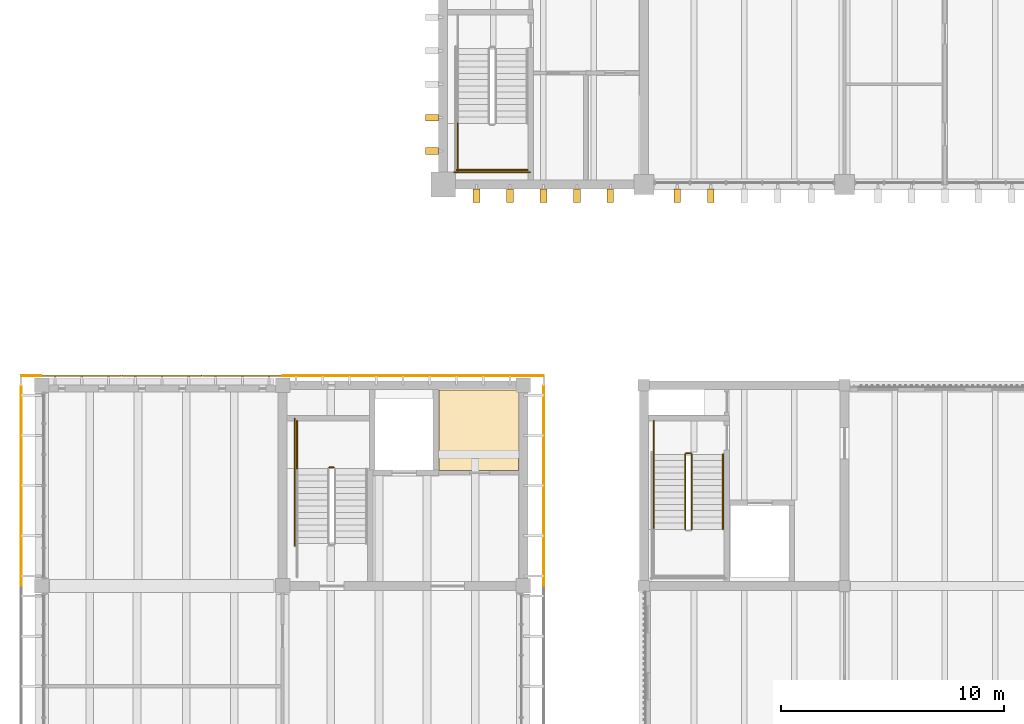
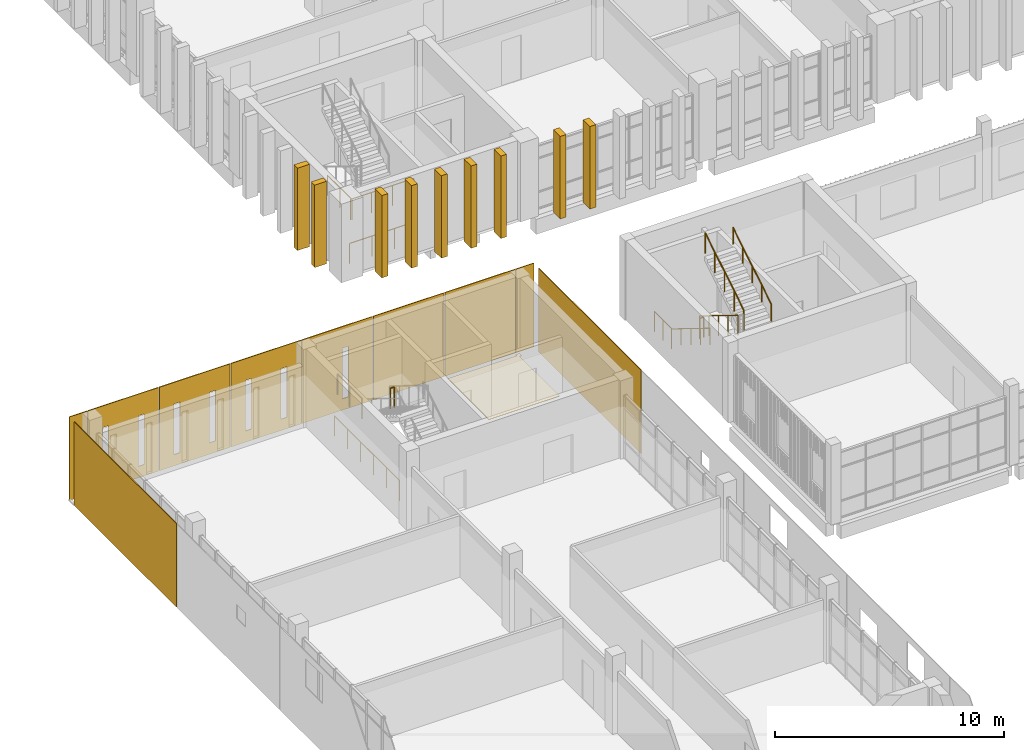
# One storey, part 86 of 92: 12 railings, 11 coverings, 9 shading devices.
"""IFC4 building model written with IfcOpenShell, lengths in metres."""

from ifc_helpers import new_model, si_unit, direction, frame, origin, origin_2d, place, context, subcontext, project, spatial, polyline, circle, outline, extrude, source, transform, mapped, material, layer, layer_set, type_object, element, save


model = new_model("IFC4")

# Units and contexts
model_context = context("Model", 3, precision=1e-05, world=origin(), true_north=direction((0.0, 1.0)))
body_context = subcontext(model_context, "Body", "Model", "MODEL_VIEW")
ifc_project = project(units=[si_unit("LENGTHUNIT", "METRE"), si_unit("AREAUNIT", "SQUARE_METRE"), si_unit("VOLUMEUNIT", "CUBIC_METRE"), si_unit("PLANEANGLEUNIT", "RADIAN"), si_unit("MASSUNIT", "GRAM", prefix="KILO")], contexts=[model_context])

# Site, building, storey
site_placement = place(None, origin())
site = spatial("IfcSite", under=ifc_project, at=site_placement, CompositionType="ELEMENT")
building_placement = place(site_placement, origin())
building = spatial("IfcBuilding", under=site, at=building_placement, Name="Merrow Basin Faculty of Sciences", CompositionType="ELEMENT")
storey_placement = place(building_placement, frame((0.0, 0.0, 4.5)))
storey = spatial("IfcBuildingStorey", under=building, at=storey_placement, Name="L01", CompositionType="ELEMENT", Elevation=4.5)

# Covering
ifc_material_1 = material(Name="Carpet tile floor")
ifc_layer_1 = layer(ifc_material_1, 0.02001953125)
ifc_layer_set_1 = layer_set([ifc_layer_1], Name="Carpet tile floor")
covering_type_1 = type_object("IfcCoveringType", Name="Carpet tile floor", PredefinedType="FLOORING", material=ifc_layer_set_1)
covering_1_placement = place(storey_placement, origin())
element("IfcCovering", 1, at=covering_1_placement, inside=storey, type_object=covering_type_1, Name="Floor finish L01-B-013", PredefinedType="FLOORING", context=body_context, shape_type="SweptSolid", body=[
    extrude(outline(polyline([(21.389892578125, 129.18505859375), (17.81005859375, 129.18505859375), (17.81005859375, 132.7900390625), (21.284912109375, 132.7900390625), (21.284912109375, 132.889892578125), (21.489990234375, 132.889892578125), (21.489990234375, 132.68505859375), (21.389892578125, 132.68505859375), (21.389892578125, 129.18505859375)])), origin(), (0.0, 0.0, 1.0), 0.02001953125),
])

# Railings
ifc_material_2 = material(Name="Steel ASTM A36", Category="steel")
railing_type_1 = type_object("IfcRailingType", Name="Steel guard 1100", PredefinedType="GUARDRAIL", material=ifc_material_2)
railing_1_placement = place(storey_placement, frame((13.10009765625, 129.31005859375, 2.25)))
element("IfcRailing", 2, at=railing_1_placement, inside=storey, type_object=railing_type_1, Name="L01 ST-V4-N stair guard 2", PredefinedType="GUARDRAIL", context=body_context, shape_type="SweptSolid", body=[
    extrude(circle(Radius=0.02392578125, at=origin_2d()), frame((0.0, 0.0, 1.076171875), z_axis=(-1.0, 0.0, 0.0), x_axis=(0.0, -1.0, 0.0)), (0.0, 0.0, 1.0), 0.2001953125),
    extrude(circle(Radius=0.02099609375, at=origin_2d()), origin(), (0.0, 0.0, 1.0), 1.052001953125),
    extrude(circle(Radius=0.02099609375, at=origin_2d()), frame((-0.2001953125, 0.0, 0.0)), (0.0, 0.0, 1.0), 1.052001953125),
])
railing_2_placement = place(storey_placement, frame((11.449951171875, 129.260009765625, 2.25)))
element("IfcRailing", 3, at=railing_2_placement, inside=storey, type_object=railing_type_1, Name="L01 ST-V4-N stair guard 3", PredefinedType="GUARDRAIL", context=body_context, shape_type="SweptSolid", body=[
    extrude(circle(Radius=0.02392578125, at=origin_2d()), frame((0.0, 0.0, 1.076171875), z_axis=(0.0, 1.0, 0.0), x_axis=(-1.0, 0.0, 0.0)), (0.0, 0.0, 1.0), 2.139892578125),
    extrude(circle(Radius=0.02099609375, at=origin_2d()), origin(), (0.0, 0.0, 1.0), 1.052001953125),
    extrude(circle(Radius=0.02099609375, at=origin_2d()), frame((0.0, 1.06982421875, 0.0)), (0.0, 0.0, 1.0), 1.052001953125),
    extrude(circle(Radius=0.02099609375, at=origin_2d()), frame((0.0, 2.139892578125, 0.0)), (0.0, 0.0, 1.0), 1.052001953125),
])
railing_3_placement = place(storey_placement, frame((11.35009765625, 125.800048828125, 0.0)))
element("IfcRailing", 4, at=railing_3_placement, inside=storey, type_object=railing_type_1, Name="L01 ST-V4-N stair guard 7", PredefinedType="GUARDRAIL", context=body_context, shape_type="SweptSolid", body=[
    extrude(circle(Radius=0.02392578125, at=origin_2d()), frame((0.0, 0.0, 1.076171875), z_axis=(0.0, 1.0, 0.0), x_axis=(-1.0, 0.0, 0.0)), (0.0, 0.0, 1.0), 5.699951171875),
    extrude(circle(Radius=0.02099609375, at=origin_2d()), origin(), (0.0, 0.0, 1.0), 1.052001953125),
    extrude(circle(Radius=0.02099609375, at=origin_2d()), frame((0.0, 1.139892578125, 0.0)), (0.0, 0.0, 1.0), 1.052001953125),
    extrude(circle(Radius=0.02099609375, at=origin_2d()), frame((0.0, 2.280029296875, 0.0)), (0.0, 0.0, 1.0), 1.052001953125),
    extrude(circle(Radius=0.02099609375, at=origin_2d()), frame((0.0, 3.419921875, 0.0)), (0.0, 0.0, 1.0), 1.052001953125),
    extrude(circle(Radius=0.02099609375, at=origin_2d()), frame((0.0, 4.56005859375, 0.0)), (0.0, 0.0, 1.0), 1.052001953125),
    extrude(circle(Radius=0.02099609375, at=origin_2d()), frame((0.0, 5.699951171875, 0.0)), (0.0, 0.0, 1.0), 1.052001953125),
])
railing_4_placement = place(storey_placement, frame((28.85009765625, 129.89990234375, 0.173095703125)))
element("IfcRailing", 5, at=railing_4_placement, inside=storey, type_object=railing_type_1, Name="L01 ST-V2-W stair guard 1", PredefinedType="GUARDRAIL", context=body_context, shape_type="SweptSolid", body=[
    extrude(circle(Radius=0.02392578125, at=origin_2d()), frame((0.0, 0.0, 1.076171875), z_axis=(0.0, -0.850606129759, 0.525803396734), x_axis=(1.0, 0.0, 0.0)), (0.0, 0.0, 1.0), 3.949951171875),
    extrude(circle(Radius=0.02099609375, at=origin_2d()), origin(), (0.0, 0.0, 1.0), 1.052001953125),
    extrude(circle(Radius=0.02099609375, at=origin_2d()), frame((0.0, -0.83984375, 0.519287109375)), (0.0, 0.0, 1.0), 1.052001953125),
    extrude(circle(Radius=0.02099609375, at=origin_2d()), frame((0.0, -1.679931640625, 1.03857421875)), (0.0, 0.0, 1.0), 1.052001953125),
    extrude(circle(Radius=0.02099609375, at=origin_2d()), frame((0.0, -2.52001953125, 1.5576171875)), (0.0, 0.0, 1.0), 1.052001953125),
    extrude(circle(Radius=0.02099609375, at=origin_2d()), frame((0.0, -3.35986328125, 2.076904296875)), (0.0, 0.0, 1.0), 1.052001953125),
])
railing_5_placement = place(storey_placement, frame((29.14990234375, 126.5400390625, 2.423095703125)))
element("IfcRailing", 6, at=railing_5_placement, inside=storey, type_object=railing_type_1, Name="L01 ST-V2-W stair guard 5", PredefinedType="GUARDRAIL", context=body_context, shape_type="SweptSolid", body=[
    extrude(circle(Radius=0.02392578125, at=origin_2d()), frame((0.0, 0.0, 1.076171875), z_axis=(0.0, 0.850606129759, 0.525803396734), x_axis=(-1.0, 0.0, 0.0)), (0.0, 0.0, 1.0), 3.949951171875),
    extrude(circle(Radius=0.02099609375, at=origin_2d()), origin(), (0.0, 0.0, 1.0), 1.052001953125),
    extrude(circle(Radius=0.02099609375, at=origin_2d()), frame((0.0, 0.83984375, 0.519287109375)), (0.0, 0.0, 1.0), 1.052001953125),
    extrude(circle(Radius=0.02099609375, at=origin_2d()), frame((0.0, 1.679931640625, 1.03857421875)), (0.0, 0.0, 1.0), 1.052001953125),
    extrude(circle(Radius=0.02099609375, at=origin_2d()), frame((0.0, 2.52001953125, 1.5576171875)), (0.0, 0.0, 1.0), 1.052001953125),
    extrude(circle(Radius=0.02099609375, at=origin_2d()), frame((0.0, 3.35986328125, 2.076904296875)), (0.0, 0.0, 1.0), 1.052001953125),
])
railing_6_placement = place(storey_placement, frame((28.89990234375, 129.949951171875, 0.0)))
element("IfcRailing", 7, at=railing_6_placement, inside=storey, type_object=railing_type_1, Name="L01 ST-V2-W stair guard 6", PredefinedType="GUARDRAIL", context=body_context, shape_type="SweptSolid", body=[
    extrude(circle(Radius=0.02392578125, at=origin_2d()), frame((0.0, 0.0, 1.076171875), z_axis=(1.0, 0.0, 0.0), x_axis=(0.0, 1.0, 0.0)), (0.0, 0.0, 1.0), 0.2001953125),
    extrude(circle(Radius=0.02099609375, at=origin_2d()), origin(), (0.0, 0.0, 1.0), 1.052001953125),
    extrude(circle(Radius=0.02099609375, at=origin_2d()), frame((0.2001953125, 0.0, 0.0)), (0.0, 0.0, 1.0), 1.052001953125),
])
railing_7_placement = place(storey_placement, frame((27.449951171875, 131.39990234375, 0.0)))
element("IfcRailing", 8, at=railing_7_placement, inside=storey, type_object=railing_type_1, Name="L01 ST-V2-W stair guard 7", PredefinedType="GUARDRAIL", context=body_context, shape_type="SweptSolid", body=[
    extrude(circle(Radius=0.02392578125, at=origin_2d()), frame((0.0, 0.0, 1.076171875), z_axis=(0.0, -1.0, 0.0), x_axis=(1.0, 0.0, 0.0)), (0.0, 0.0, 1.0), 1.5),
    extrude(circle(Radius=0.02099609375, at=origin_2d()), origin(), (0.0, 0.0, 1.0), 1.052001953125),
    extrude(circle(Radius=0.02099609375, at=origin_2d()), frame((0.0, -0.75, 0.0)), (0.0, 0.0, 1.0), 1.052001953125),
    extrude(circle(Radius=0.02099609375, at=origin_2d()), frame((0.0, -1.5, 0.0)), (0.0, 0.0, 1.0), 1.052001953125),
])
railing_8_placement = place(storey_placement, frame((18.64990234375, 144.739990234375, 2.25)))
element("IfcRailing", 9, at=railing_8_placement, inside=storey, type_object=railing_type_1, Name="L01 ST-V5-W stair guard 3", PredefinedType="GUARDRAIL", context=body_context, shape_type="SweptSolid", body=[
    extrude(circle(Radius=0.02392578125, at=origin_2d()), frame((0.0, 0.0, 1.076171875), z_axis=(0.0, -1.0, 0.0), x_axis=(1.0, 0.0, 0.0)), (0.0, 0.0, 1.0), 2.139892578125),
    extrude(circle(Radius=0.02099609375, at=origin_2d()), origin(), (0.0, 0.0, 1.0), 1.052001953125),
    extrude(circle(Radius=0.02099609375, at=origin_2d()), frame((0.0, -1.06982421875, 0.0)), (0.0, 0.0, 1.0), 1.052001953125),
    extrude(circle(Radius=0.02099609375, at=origin_2d()), frame((0.0, -2.139892578125, 0.0)), (0.0, 0.0, 1.0), 1.052001953125),
])
railing_9_placement = place(storey_placement, frame((18.60009765625, 142.64990234375, 2.25)))
element("IfcRailing", 10, at=railing_9_placement, inside=storey, type_object=railing_type_1, Name="L01 ST-V5-W stair guard 4", PredefinedType="GUARDRAIL", context=body_context, shape_type="SweptSolid", body=[
    extrude(circle(Radius=0.02392578125, at=origin_2d()), frame((0.0, 0.0, 1.076171875), z_axis=(1.0, 0.0, 0.0), x_axis=(0.0, 1.0, 0.0)), (0.0, 0.0, 1.0), 3.199951171875),
    extrude(circle(Radius=0.02099609375, at=origin_2d()), origin(), (0.0, 0.0, 1.0), 1.052001953125),
    extrude(circle(Radius=0.02099609375, at=origin_2d()), frame((1.066650390625, 0.0, 0.0)), (0.0, 0.0, 1.0), 1.052001953125),
    extrude(circle(Radius=0.02099609375, at=origin_2d()), frame((2.13330078125, 0.0, 0.0)), (0.0, 0.0, 1.0), 1.052001953125),
    extrude(circle(Radius=0.02099609375, at=origin_2d()), frame((3.199951171875, 0.0, 0.0)), (0.0, 0.0, 1.0), 1.052001953125),
])
railing_10_placement = place(storey_placement, frame((18.5, 142.550048828125, 0.0)))
element("IfcRailing", 11, at=railing_10_placement, inside=storey, type_object=railing_type_1, Name="L01 ST-V5-W stair guard 9", PredefinedType="GUARDRAIL", context=body_context, shape_type="SweptSolid", body=[
    extrude(circle(Radius=0.02392578125, at=origin_2d()), frame((0.0, 0.0, 1.076171875), z_axis=(1.0, 0.0, 0.0), x_axis=(0.0, 1.0, 0.0)), (0.0, 0.0, 1.0), 3.39990234375),
    extrude(circle(Radius=0.02099609375, at=origin_2d()), origin(), (0.0, 0.0, 1.0), 1.052001953125),
    extrude(circle(Radius=0.02099609375, at=origin_2d()), frame((1.13330078125, 0.0, 0.0)), (0.0, 0.0, 1.0), 1.052001953125),
    extrude(circle(Radius=0.02099609375, at=origin_2d()), frame((2.2666015625, 0.0, 0.0)), (0.0, 0.0, 1.0), 1.052001953125),
    extrude(circle(Radius=0.02099609375, at=origin_2d()), frame((3.39990234375, 0.0, 0.0)), (0.0, 0.0, 1.0), 1.052001953125),
])
ifc_material_3 = material(Name="Steel ASTM A36", Category="steel")
railing_type_2 = type_object("IfcRailingType", Name="Steel handrail 900", PredefinedType="HANDRAIL", material=ifc_material_3)
railing_11_placement = place(storey_placement, frame((27.449951171875, 129.89990234375, 0.173095703125)))
element("IfcRailing", 12, at=railing_11_placement, inside=storey, type_object=railing_type_2, Name="L01 ST-V2-W stair handrail 1", PredefinedType="HANDRAIL", context=body_context, shape_type="SweptSolid", body=[
    extrude(circle(Radius=0.02392578125, at=origin_2d()), frame((0.0, 0.0, 0.8759765625), z_axis=(0.0, -0.850606129759, 0.525803396734), x_axis=(1.0, 0.0, 0.0)), (0.0, 0.0, 1.0), 3.949951171875),
    extrude(circle(Radius=0.02099609375, at=origin_2d()), origin(), (0.0, 0.0, 1.0), 0.851806640625),
    extrude(circle(Radius=0.02099609375, at=origin_2d()), frame((0.0, -0.83984375, 0.519287109375)), (0.0, 0.0, 1.0), 0.851806640625),
    extrude(circle(Radius=0.02099609375, at=origin_2d()), frame((0.0, -1.679931640625, 1.03857421875)), (0.0, 0.0, 1.0), 0.851806640625),
    extrude(circle(Radius=0.02099609375, at=origin_2d()), frame((0.0, -2.52001953125, 1.5576171875)), (0.0, 0.0, 1.0), 0.851806640625),
    extrude(circle(Radius=0.02099609375, at=origin_2d()), frame((0.0, -3.35986328125, 2.076904296875)), (0.0, 0.0, 1.0), 0.851806640625),
])
railing_12_placement = place(storey_placement, frame((30.550048828125, 126.5400390625, 2.423095703125)))
element("IfcRailing", 13, at=railing_12_placement, inside=storey, type_object=railing_type_2, Name="L01 ST-V2-W stair handrail 2", PredefinedType="HANDRAIL", context=body_context, shape_type="SweptSolid", body=[
    extrude(circle(Radius=0.02392578125, at=origin_2d()), frame((0.0, 0.0, 0.8759765625), z_axis=(0.0, 0.850606129759, 0.525803396734), x_axis=(-1.0, 0.0, 0.0)), (0.0, 0.0, 1.0), 3.949951171875),
    extrude(circle(Radius=0.02099609375, at=origin_2d()), origin(), (0.0, 0.0, 1.0), 0.851806640625),
    extrude(circle(Radius=0.02099609375, at=origin_2d()), frame((0.0, 0.83984375, 0.519287109375)), (0.0, 0.0, 1.0), 0.851806640625),
    extrude(circle(Radius=0.02099609375, at=origin_2d()), frame((0.0, 1.679931640625, 1.03857421875)), (0.0, 0.0, 1.0), 0.851806640625),
    extrude(circle(Radius=0.02099609375, at=origin_2d()), frame((0.0, 2.52001953125, 1.5576171875)), (0.0, 0.0, 1.0), 0.851806640625),
    extrude(circle(Radius=0.02099609375, at=origin_2d()), frame((0.0, 3.35986328125, 2.076904296875)), (0.0, 0.0, 1.0), 0.851806640625),
])

# Coverings
ifc_material_4 = material(Name="White powder-coated aluminium", Category="aluminium")
ifc_layer_2 = layer(ifc_material_4, 0.0400390625)
ifc_layer_set_2 = layer_set([ifc_layer_2], Name="Perforated panel 9000 x 4500")
covering_type_2 = type_object("IfcCoveringType", Name="Perforated panel 9000 x 4500", PredefinedType="CLADDING", material=ifc_layer_set_2)
shared_shape_1 = source(origin(), body_context, "Body", "SweptSolid", [
    extrude(outline(polyline([(0.02001953125, 0.02001953125), (8.97998046875, 0.02001953125), (8.97998046875, 4.47998046875), (0.02001953125, 4.47998046875), (0.02001953125, 0.02001953125)])), origin(), (0.0, 0.0, 1.0), 0.0400390625),
])
covering_2_placement = place(storey_placement, frame((-0.93994140625, 124.0, -0.320068359375), z_axis=(1.0, 0.0, 0.0), x_axis=(0.0, 1.0, 0.0)))
element("IfcCovering", 14, at=covering_2_placement, inside=storey, type_object=covering_type_2, Name="Perforated panel WL01-08", PredefinedType="CLADDING", context=body_context, shape_type="MappedRepresentation", body=[
    mapped(shared_shape_1, transform((0.0, 0.0, 0.0), scale=1.0)),
])
shared_shape_2 = source(origin(), body_context, "Body", "SweptSolid", [
    extrude(outline(polyline([(0.02001953125, 0.02001953125), (8.97998046875, 0.02001953125), (8.97998046875, 4.47998046875), (0.02001953125, 4.47998046875), (0.02001953125, 0.02001953125)])), origin(), (0.0, 0.0, 1.0), 0.0400390625),
])
covering_3_placement = place(storey_placement, frame((22.5400390625, 133.0, -0.320068359375), z_axis=(-1.0, 0.0, 0.0), x_axis=(0.0, -1.0, 0.0)))
element("IfcCovering", 15, at=covering_3_placement, inside=storey, type_object=covering_type_2, Name="Perforated panel EL01-08", PredefinedType="CLADDING", context=body_context, shape_type="MappedRepresentation", body=[
    mapped(shared_shape_2, transform((0.0, 0.0, 0.0), scale=1.0)),
])
ifc_material_5 = material(Name="White powder-coated aluminium", Category="aluminium")
ifc_layer_3 = layer(ifc_material_5, 0.0400390625)
ifc_layer_set_3 = layer_set([ifc_layer_3], Name="End corner panel 940 x 4500")
covering_type_3 = type_object("IfcCoveringType", Name="End corner panel 940 x 4500", PredefinedType="CLADDING", material=ifc_layer_set_3)
shared_shape_3 = source(origin(), body_context, "Body", "SweptSolid", [
    extrude(outline(polyline([(0.02001953125, 0.02001953125), (0.919921875, 0.02001953125), (0.919921875, 4.47998046875), (0.02001953125, 4.47998046875), (0.02001953125, 0.02001953125)])), origin(), (0.0, 0.0, 1.0), 0.0400390625),
])
covering_4_placement = place(storey_placement, frame((-0.93994140625, 133.43994140625, -0.320068359375), z_axis=(0.0, -1.0, 0.0), x_axis=(1.0, 0.0, 0.0)))
element("IfcCovering", 16, at=covering_4_placement, inside=storey, type_object=covering_type_3, Name="End panel NL01-01", PredefinedType="CLADDING", context=body_context, shape_type="MappedRepresentation", body=[
    mapped(shared_shape_3, transform((0.0, 0.0, 0.0), scale=1.0)),
])
ifc_material_6 = material(Name="White powder-coated aluminium", Category="aluminium")
ifc_layer_4 = layer(ifc_material_6, 0.0400390625)
ifc_layer_set_4 = layer_set([ifc_layer_4], Name="End panel 3600 x 4500")
covering_type_4 = type_object("IfcCoveringType", Name="End panel 3600 x 4500", PredefinedType="CLADDING", material=ifc_layer_set_4)
shared_shape_4 = source(origin(), body_context, "Body", "SweptSolid", [
    extrude(outline(polyline([(0.02001953125, 0.02001953125), (3.580078125, 0.02001953125), (3.580078125, 4.47998046875), (0.02001953125, 4.47998046875), (0.02001953125, 0.02001953125)]), holes=[polyline([(0.75, 0.6201171875), (1.050048828125, 0.6201171875), (1.050048828125, 3.320068359375), (0.75, 3.320068359375), (0.75, 0.6201171875)]), polyline([(2.550048828125, 0.6201171875), (2.85009765625, 0.6201171875), (2.85009765625, 3.320068359375), (2.550048828125, 3.320068359375), (2.550048828125, 0.6201171875)])]), origin(), (0.0, 0.0, 1.0), 0.0400390625),
])
covering_5_placement = place(storey_placement, frame((0.0, 133.43994140625, -0.320068359375), z_axis=(0.0, -1.0, 0.0), x_axis=(1.0, 0.0, 0.0)))
element("IfcCovering", 17, at=covering_5_placement, inside=storey, type_object=covering_type_4, Name="End panel NL01-02", PredefinedType="CLADDING", context=body_context, shape_type="MappedRepresentation", body=[
    mapped(shared_shape_4, transform((0.0, 0.0, 0.0), scale=1.0)),
])
shared_shape_5 = source(origin(), body_context, "Body", "SweptSolid", [
    extrude(outline(polyline([(0.02001953125, 0.02001953125), (3.580078125, 0.02001953125), (3.580078125, 4.47998046875), (0.02001953125, 4.47998046875), (0.02001953125, 0.02001953125)]), holes=[polyline([(0.75, 0.6201171875), (1.050048828125, 0.6201171875), (1.050048828125, 3.320068359375), (0.75, 3.320068359375), (0.75, 0.6201171875)]), polyline([(2.550048828125, 0.6201171875), (2.85009765625, 0.6201171875), (2.85009765625, 3.320068359375), (2.550048828125, 3.320068359375), (2.550048828125, 0.6201171875)])]), origin(), (0.0, 0.0, 1.0), 0.0400390625),
])
covering_6_placement = place(storey_placement, frame((3.60009765625, 133.43994140625, -0.320068359375), z_axis=(0.0, -1.0, 0.0), x_axis=(1.0, 0.0, 0.0)))
element("IfcCovering", 18, at=covering_6_placement, inside=storey, type_object=covering_type_4, Name="End panel NL01-03", PredefinedType="CLADDING", context=body_context, shape_type="MappedRepresentation", body=[
    mapped(shared_shape_5, transform((0.0, 0.0, 0.0), scale=1.0)),
])
shared_shape_6 = source(origin(), body_context, "Body", "SweptSolid", [
    extrude(outline(polyline([(0.02001953125, 0.02001953125), (3.580078125, 0.02001953125), (3.580078125, 4.47998046875), (0.02001953125, 4.47998046875), (0.02001953125, 0.02001953125)]), holes=[polyline([(0.75, 0.6201171875), (1.050048828125, 0.6201171875), (1.050048828125, 3.320068359375), (0.75, 3.320068359375), (0.75, 0.6201171875)]), polyline([(2.550048828125, 0.6201171875), (2.85009765625, 0.6201171875), (2.85009765625, 3.320068359375), (2.550048828125, 3.320068359375), (2.550048828125, 0.6201171875)])]), origin(), (0.0, 0.0, 1.0), 0.0400390625),
])
covering_7_placement = place(storey_placement, frame((7.199951171875, 133.43994140625, -0.320068359375), z_axis=(0.0, -1.0, 0.0), x_axis=(1.0, 0.0, 0.0)))
element("IfcCovering", 19, at=covering_7_placement, inside=storey, type_object=covering_type_4, Name="End panel NL01-04", PredefinedType="CLADDING", context=body_context, shape_type="MappedRepresentation", body=[
    mapped(shared_shape_6, transform((0.0, 0.0, 0.0), scale=1.0)),
])
shared_shape_7 = source(origin(), body_context, "Body", "SweptSolid", [
    extrude(outline(polyline([(0.02001953125, 0.02001953125), (3.580078125, 0.02001953125), (3.580078125, 4.47998046875), (0.02001953125, 4.47998046875), (0.02001953125, 0.02001953125)]), holes=[polyline([(2.050048828125, 0.6201171875), (2.35009765625, 0.6201171875), (2.35009765625, 3.320068359375), (2.050048828125, 3.320068359375), (2.050048828125, 0.6201171875)])]), origin(), (0.0, 0.0, 1.0), 0.0400390625),
])
covering_8_placement = place(storey_placement, frame((10.800048828125, 133.43994140625, -0.320068359375), z_axis=(0.0, -1.0, 0.0), x_axis=(1.0, 0.0, 0.0)))
element("IfcCovering", 20, at=covering_8_placement, inside=storey, type_object=covering_type_4, Name="End panel NL01-05", PredefinedType="CLADDING", context=body_context, shape_type="MappedRepresentation", body=[
    mapped(shared_shape_7, transform((0.0, 0.0, 0.0), scale=1.0)),
])
shared_shape_8 = source(origin(), body_context, "Body", "SweptSolid", [
    extrude(outline(polyline([(0.02001953125, 0.02001953125), (3.580078125, 0.02001953125), (3.580078125, 4.47998046875), (0.02001953125, 4.47998046875), (0.02001953125, 0.02001953125)])), origin(), (0.0, 0.0, 1.0), 0.0400390625),
])
covering_9_placement = place(storey_placement, frame((14.39990234375, 133.43994140625, -0.320068359375), z_axis=(0.0, -1.0, 0.0), x_axis=(1.0, 0.0, 0.0)))
element("IfcCovering", 21, at=covering_9_placement, inside=storey, type_object=covering_type_4, Name="End panel NL01-06", PredefinedType="CLADDING", context=body_context, shape_type="MappedRepresentation", body=[
    mapped(shared_shape_8, transform((0.0, 0.0, 0.0), scale=1.0)),
])
shared_shape_9 = source(origin(), body_context, "Body", "SweptSolid", [
    extrude(outline(polyline([(0.02001953125, 0.02001953125), (3.580078125, 0.02001953125), (3.580078125, 4.47998046875), (0.02001953125, 4.47998046875), (0.02001953125, 0.02001953125)])), origin(), (0.0, 0.0, 1.0), 0.0400390625),
])
covering_10_placement = place(storey_placement, frame((18.0, 133.43994140625, -0.320068359375), z_axis=(0.0, -1.0, 0.0), x_axis=(1.0, 0.0, 0.0)))
element("IfcCovering", 22, at=covering_10_placement, inside=storey, type_object=covering_type_4, Name="End panel NL01-07", PredefinedType="CLADDING", context=body_context, shape_type="MappedRepresentation", body=[
    mapped(shared_shape_9, transform((0.0, 0.0, 0.0), scale=1.0)),
])
shared_shape_10 = source(origin(), body_context, "Body", "SweptSolid", [
    extrude(outline(polyline([(0.02001953125, 0.02001953125), (0.919921875, 0.02001953125), (0.919921875, 4.47998046875), (0.02001953125, 4.47998046875), (0.02001953125, 0.02001953125)])), origin(), (0.0, 0.0, 1.0), 0.0400390625),
])
covering_11_placement = place(storey_placement, frame((21.60009765625, 133.43994140625, -0.320068359375), z_axis=(0.0, -1.0, 0.0), x_axis=(1.0, 0.0, 0.0)))
element("IfcCovering", 23, at=covering_11_placement, inside=storey, type_object=covering_type_3, Name="End panel NL01-08", PredefinedType="CLADDING", context=body_context, shape_type="MappedRepresentation", body=[
    mapped(shared_shape_10, transform((0.0, 0.0, 0.0), scale=1.0)),
])

# Shading devices
ifc_material_7 = material(Name="White precast concrete C50/60", Category="concrete")
shading_device_type = type_object("IfcShadingDeviceType", Name="White precast fin 300 x 600", PredefinedType="USERDEFINED", material=ifc_material_7)
shared_shape_11 = source(origin(), body_context, "Body", "SweptSolid", [
    extrude(outline(polyline([(0.0, 0.0), (0.300048828125, 0.0), (0.300048828125, 4.39990234375), (0.0, 4.39990234375), (0.0, 0.0)])), origin(), (0.0, 0.0, 1.0), 0.60009765625),
])
for number, where, z_axis, x_axis, name in (
    (24, (19.35009765625, 141.800048828125, -0.25), (0.0, -1.0, 0.0), (1.0, 0.0, 0.0), "Brise-soleil fin SL01"),
    (25, (20.85009765625, 141.800048828125, -0.25), (0.0, -1.0, 0.0), (1.0, 0.0, 0.0), "Brise-soleil fin SL01"),
    (26, (22.35009765625, 141.800048828125, -0.25), (0.0, -1.0, 0.0), (1.0, 0.0, 0.0), "Brise-soleil fin SL01"),
    (27, (23.85009765625, 141.800048828125, -0.25), (0.0, -1.0, 0.0), (1.0, 0.0, 0.0), "Brise-soleil fin SL01"),
    (28, (25.35009765625, 141.800048828125, -0.25), (0.0, -1.0, 0.0), (1.0, 0.0, 0.0), "Brise-soleil fin SL01"),
    (29, (28.35009765625, 141.800048828125, -0.25), (0.0, -1.0, 0.0), (1.0, 0.0, 0.0), "Brise-soleil fin SL01"),
    (30, (29.85009765625, 141.800048828125, -0.25), (0.0, -1.0, 0.0), (1.0, 0.0, 0.0), "Brise-soleil fin SL01"),
    (31, (17.800048828125, 143.64990234375, -0.25), (-1.0, 0.0, 0.0), (0.0, -1.0, 0.0), "Brise-soleil fin WL01"),
    (32, (17.800048828125, 145.14990234375, -0.25), (-1.0, 0.0, 0.0), (0.0, -1.0, 0.0), "Brise-soleil fin WL01"),
):
    element("IfcShadingDevice", number, at=place(storey_placement, frame(where, z_axis=z_axis, x_axis=x_axis)), inside=storey, type_object=shading_device_type, Name=name, ObjectType="FIN", PredefinedType="USERDEFINED", context=body_context, shape_type="MappedRepresentation", body=[
        mapped(shared_shape_11, transform((0.0, 0.0, 0.0), scale=1.0)),
    ])

save(model, "model.ifc")
